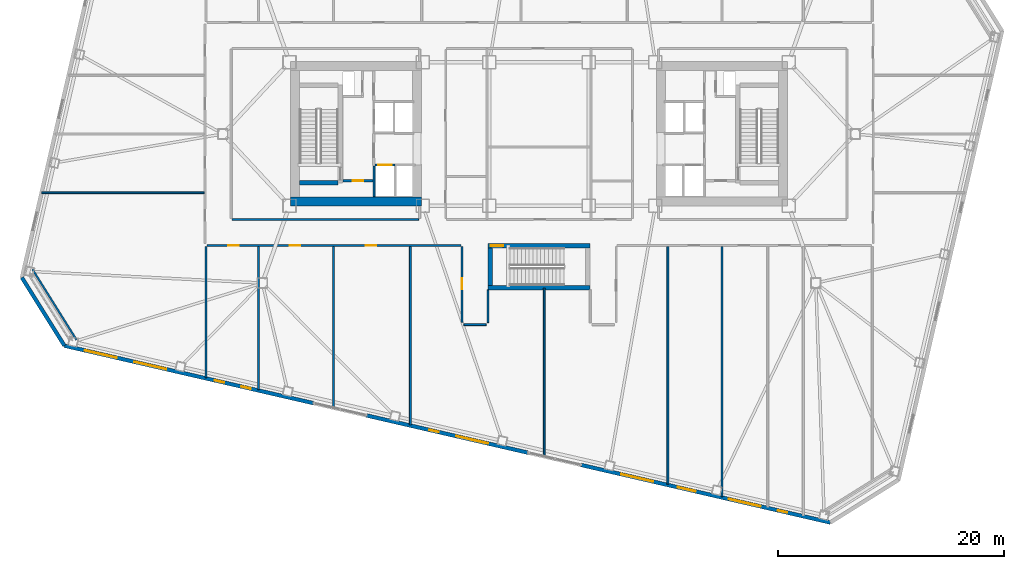
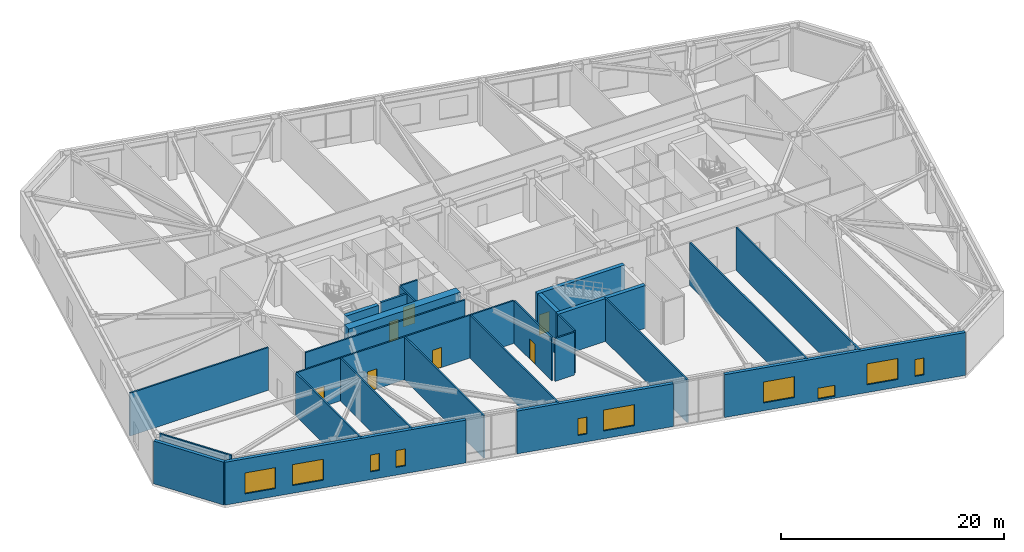
# One storey, part 9 of 20: 26 walls, 10 windows, 7 doors, 17 openings.
"""IFC4 building model written with IfcOpenShell, lengths in metres."""

from ifc_helpers import new_model, si_unit, direction, frame, frame_2d, origin, place, context, subcontext, project, spatial, rectangle, extrude, material, layer, layer_set, type_object, element, fill, save


model = new_model("IFC4")

# Units and contexts
model_context = context("Model", 3, precision=1e-05, world=origin(), true_north=direction((0.0, 1.0)))
body_context = subcontext(model_context, "Body", "Model", "MODEL_VIEW")
ifc_project = project(units=[si_unit("LENGTHUNIT", "METRE"), si_unit("AREAUNIT", "SQUARE_METRE"), si_unit("VOLUMEUNIT", "CUBIC_METRE"), si_unit("PLANEANGLEUNIT", "RADIAN"), si_unit("MASSUNIT", "GRAM", prefix="KILO")], contexts=[model_context])

# Site, building, storey
site_placement = place(None, origin())
site = spatial("IfcSite", under=ifc_project, at=site_placement, CompositionType="ELEMENT")
building_placement = place(site_placement, origin())
building = spatial("IfcBuilding", under=site, at=building_placement, Name="Tavrogorsk Clinical Tower", CompositionType="ELEMENT")
storey_placement = place(building_placement, frame((0.0, 0.0, 13.39990234375)))
storey = spatial("IfcBuildingStorey", under=building, at=storey_placement, Name="L02", CompositionType="ELEMENT", Elevation=13.39990234375)

# Wall, opening, door
ifc_material_1 = material(Name="Concrete B60", Category="concrete")
ifc_layer_1 = layer(ifc_material_1, 0.199951171875)
ifc_layer_set_1 = layer_set([ifc_layer_1], Name="Concrete B60")
wall_type_1 = type_object("IfcWallType", Name="CoreFireWall_200", PredefinedType="SOLIDWALL", material=ifc_layer_set_1)
wall_1_placement = place(storey_placement, frame((-17.3798828125, -4.139892578125, 0.0), z_axis=(0.0, 0.0, 1.0), x_axis=(1.0, 0.0, 0.0)))
wall_1 = element("IfcWall", 1, at=wall_1_placement, inside=storey, type_object=wall_type_1, Name="L02 Core West South Core Room Fire Wall", PredefinedType="SOLIDWALL", context=body_context, shape_type="SweptSolid", body=[
    extrude(rectangle(XDim=2.659912109375, YDim=0.199951171875, at=frame_2d((1.330078125, 0.0))), origin(), (0.0, 0.0, 1.0), 4.7001953125),
])
opening_1_placement = place(wall_1_placement, frame((0.8798828125, 0.0, 0.0)))
opening_1 = element("IfcOpeningElement", 2, at=opening_1_placement, cuts=wall_1, Name="Opening ID-02", PredefinedType="OPENING", context=body_context, shape_type="SweptSolid", body=[
    extrude(rectangle(XDim=0.949951171875, YDim=2.199951171875, at=frame_2d((0.47509765625, 1.10009765625))), frame((0.0, 0.10986328125, 0.0), z_axis=(0.0, -1.0, 0.0), x_axis=(1.0, 0.0, 0.0)), (0.0, 0.0, 1.0), 0.219970703125),
])
ifc_material_2 = material(Name="Laminated timber leaf on aluminium frame", Category="wood")
door_type_1 = type_object("IfcDoorType", Name="InteriorDoor_ID02_950", OperationType="NOTDEFINED", PredefinedType="DOOR", material=ifc_material_2)
door_1_placement = place(opening_1_placement, origin())
door_1 = element("IfcDoor", 3, at=door_1_placement, inside=storey, type_object=door_type_1, Name="L02 Core West South Core Room Door", OperationType="SINGLE_SWING_RIGHT", OverallHeight=2.199951171875, OverallWidth=0.949951171875, PredefinedType="DOOR", context=body_context, shape_type="SweptSolid", body=[
    extrude(rectangle(XDim=0.949951171875, YDim=2.199951171875, at=frame_2d((0.47509765625, 1.10009765625))), frame((0.0, 0.02490234375, 0.0), z_axis=(0.0, -1.0, 0.0), x_axis=(1.0, 0.0, 0.0)), (0.0, 0.0, 1.0), 0.050048828125),
])
fill(opening_1, door_1)

# Walls
ifc_material_3 = material(Name="Lightweight concrete blockwork B15", Category="masonry")
ifc_layer_2 = layer(ifc_material_3, 0.159912109375)
ifc_layer_set_2 = layer_set([ifc_layer_2], Name="Lightweight concrete blockwork B15")
wall_type_2 = type_object("IfcWallType", Name="PartitionWall_160", PredefinedType="PARTITIONING", material=ifc_layer_set_2)
wall_2_placement = place(storey_placement, frame((-44.85986328125, -11.9892578125, 0.0), z_axis=(0.0, 0.0, 1.0), x_axis=(0.52991239767, -0.848052386823, 0.0)))
element("IfcWall", 4, at=wall_2_placement, inside=storey, type_object=wall_type_2, Name="L02 Corner Exoskeleton Brace Furring Wall 4", PredefinedType="PARTITIONING", context=body_context, shape_type="SweptSolid", body=[
    extrude(rectangle(XDim=7.35400390625, YDim=0.159912109375, at=frame_2d((3.677001953125, 0.0))), origin(), (0.0, 0.0, 1.0), 4.7001953125),
])
wall_3_placement = place(storey_placement, frame((-4.52001953125, -13.800048828125, 0.0), z_axis=(0.0, 0.0, 1.0), x_axis=(0.0, -1.0, 0.0)))
element("IfcWall", 5, at=wall_3_placement, inside=storey, type_object=wall_type_2, Name="L02 Corridor Partition 08", PredefinedType="PARTITIONING", context=body_context, shape_type="SweptSolid", body=[
    extrude(rectangle(XDim=2.9150390625, YDim=0.159912109375, at=frame_2d((1.45751953125, 0.0))), origin(), (0.0, 0.0, 1.0), 4.7001953125),
])
wall_4_placement = place(storey_placement, frame((-4.68505859375, -16.8798828125, 0.0), z_axis=(0.0, 0.0, 1.0), x_axis=(-1.0, 0.0, 0.0)))
element("IfcWall", 6, at=wall_4_placement, inside=storey, type_object=wall_type_2, Name="L02 Corridor Partition 09", PredefinedType="PARTITIONING", context=body_context, shape_type="SweptSolid", body=[
    extrude(rectangle(XDim=1.97998046875, YDim=0.159912109375, at=frame_2d((0.989990234375, 0.0))), origin(), (0.0, 0.0, 1.0), 4.7001953125),
])

# Wall, opening, door
wall_5_placement = place(storey_placement, frame((-6.830078125, -16.715087890625, 0.0), z_axis=(0.0, 0.0, 1.0), x_axis=(0.0, 1.0, 0.0)))
wall_5 = element("IfcWall", 7, at=wall_5_placement, inside=storey, type_object=wall_type_2, Name="L02 Corridor Partition 10", PredefinedType="PARTITIONING", context=body_context, shape_type="SweptSolid", body=[
    extrude(rectangle(XDim=6.75, YDim=0.159912109375, at=frame_2d((3.375, 0.0))), origin(), (0.0, 0.0, 1.0), 4.7001953125),
])
opening_2_placement = place(wall_5_placement, frame((2.985107421875, 0.0, 0.0)))
opening_2 = element("IfcOpeningElement", 8, at=opening_2_placement, cuts=wall_5, Name="Opening ID-02", PredefinedType="OPENING", context=body_context, shape_type="SweptSolid", body=[
    extrude(rectangle(XDim=0.949951171875, YDim=2.199951171875, at=frame_2d((0.47509765625, 1.10009765625))), frame((0.0, 0.08984375, 0.0), z_axis=(0.0, -1.0, 0.0), x_axis=(1.0, 0.0, 0.0)), (0.0, 0.0, 1.0), 0.179931640625),
])
door_2_placement = place(opening_2_placement, origin())
door_2 = element("IfcDoor", 9, at=door_2_placement, inside=storey, type_object=door_type_1, Name="L02 South Clinical Biochemistry Laboratory 04A Door", OperationType="SINGLE_SWING_RIGHT", OverallHeight=2.199951171875, OverallWidth=0.949951171875, PredefinedType="DOOR", context=body_context, shape_type="SweptSolid", body=[
    extrude(rectangle(XDim=0.949951171875, YDim=2.199951171875, at=frame_2d((0.47509765625, 1.10009765625))), frame((0.0, 0.02490234375, 0.0), z_axis=(0.0, -1.0, 0.0), x_axis=(1.0, 0.0, 0.0)), (0.0, 0.0, 1.0), 0.050048828125),
])
fill(opening_2, door_2)

# Wall, openings, doors
wall_6_placement = place(storey_placement, frame((-6.9150390625, -9.8798828125, 0.0), z_axis=(0.0, 0.0, 1.0), x_axis=(-1.0, 0.0, 0.0)))
wall_6 = element("IfcWall", 10, at=wall_6_placement, inside=storey, type_object=wall_type_2, Name="L02 Corridor Partition 11", PredefinedType="PARTITIONING", context=body_context, shape_type="SweptSolid", body=[
    extrude(rectangle(XDim=22.5, YDim=0.159912109375, at=frame_2d((11.25, 0.0))), origin(), (0.0, 0.0, 1.0), 4.7001953125),
])
opening_3_placement = place(wall_6_placement, frame((19.67578125, 0.0, 0.0)))
opening_3 = element("IfcOpeningElement", 11, at=opening_3_placement, cuts=wall_6, Name="Opening ID-02", PredefinedType="OPENING", context=body_context, shape_type="SweptSolid", body=[
    extrude(rectangle(XDim=0.949951171875, YDim=2.199951171875, at=frame_2d((0.47509765625, 1.10009765625))), frame((0.0, 0.08984375, 0.0), z_axis=(0.0, -1.0, 0.0), x_axis=(1.0, 0.0, 0.0)), (0.0, 0.0, 1.0), 0.179931640625),
])
opening_4_placement = place(wall_6_placement, frame((14.219970703125, 0.0, 0.0)))
opening_4 = element("IfcOpeningElement", 12, at=opening_4_placement, cuts=wall_6, Name="Opening ID-02", PredefinedType="OPENING", context=body_context, shape_type="SweptSolid", body=[
    extrude(rectangle(XDim=0.949951171875, YDim=2.199951171875, at=frame_2d((0.47509765625, 1.10009765625))), frame((0.0, 0.08984375, 0.0), z_axis=(0.0, -1.0, 0.0), x_axis=(1.0, 0.0, 0.0)), (0.0, 0.0, 1.0), 0.179931640625),
])
opening_5_placement = place(wall_6_placement, frame((7.4951171875, 0.0, 0.0)))
opening_5 = element("IfcOpeningElement", 13, at=opening_5_placement, cuts=wall_6, Name="Opening ID-02", PredefinedType="OPENING", context=body_context, shape_type="SweptSolid", body=[
    extrude(rectangle(XDim=0.949951171875, YDim=2.199951171875, at=frame_2d((0.47509765625, 1.10009765625))), frame((0.0, 0.08984375, 0.0), z_axis=(0.0, -1.0, 0.0), x_axis=(1.0, 0.0, 0.0)), (0.0, 0.0, 1.0), 0.179931640625),
])
door_3_placement = place(opening_3_placement, origin())
door_3 = element("IfcDoor", 14, at=door_3_placement, inside=storey, type_object=door_type_1, Name="L02 South Clinical Biochemistry Laboratory 01 Door", OperationType="SINGLE_SWING_LEFT", OverallHeight=2.199951171875, OverallWidth=0.949951171875, PredefinedType="DOOR", context=body_context, shape_type="SweptSolid", body=[
    extrude(rectangle(XDim=0.949951171875, YDim=2.199951171875, at=frame_2d((0.47509765625, 1.10009765625))), frame((0.0, 0.02490234375, 0.0), z_axis=(0.0, -1.0, 0.0), x_axis=(1.0, 0.0, 0.0)), (0.0, 0.0, 1.0), 0.050048828125),
])
fill(opening_3, door_3)
door_4_placement = place(opening_4_placement, origin())
door_4 = element("IfcDoor", 15, at=door_4_placement, inside=storey, type_object=door_type_1, Name="L02 South Pathologist Consultation Office 02 Door", OperationType="SINGLE_SWING_RIGHT", OverallHeight=2.199951171875, OverallWidth=0.949951171875, PredefinedType="DOOR", context=body_context, shape_type="SweptSolid", body=[
    extrude(rectangle(XDim=0.949951171875, YDim=2.199951171875, at=frame_2d((0.47509765625, 1.10009765625))), frame((0.0, 0.02490234375, 0.0), z_axis=(0.0, -1.0, 0.0), x_axis=(1.0, 0.0, 0.0)), (0.0, 0.0, 1.0), 0.050048828125),
])
fill(opening_4, door_4)
door_5_placement = place(opening_5_placement, origin())
door_5 = element("IfcDoor", 16, at=door_5_placement, inside=storey, type_object=door_type_1, Name="L02 South Laboratory Seminar Room 03 Door", OperationType="SINGLE_SWING_LEFT", OverallHeight=2.199951171875, OverallWidth=0.949951171875, PredefinedType="DOOR", context=body_context, shape_type="SweptSolid", body=[
    extrude(rectangle(XDim=0.949951171875, YDim=2.199951171875, at=frame_2d((0.47509765625, 1.10009765625))), frame((0.0, 0.02490234375, 0.0), z_axis=(0.0, -1.0, 0.0), x_axis=(1.0, 0.0, 0.0)), (0.0, 0.0, 1.0), 0.050048828125),
])
fill(opening_5, door_5)

# Walls
wall_7_placement = place(storey_placement, frame((-27.18505859375, -7.570068359375, 0.0), z_axis=(0.0, 0.0, 1.0), x_axis=(1.0, 0.0, 0.0)))
element("IfcWall", 17, at=wall_7_placement, inside=storey, type_object=wall_type_2, Name="L02 Corridor Partition 25", PredefinedType="PARTITIONING", context=body_context, shape_type="SweptSolid", body=[
    extrude(rectangle(XDim=16.52001953125, YDim=0.159912109375, at=frame_2d((8.260009765625, 0.0))), origin(), (0.0, 0.0, 1.0), 4.7001953125),
])
wall_8_placement = place(storey_placement, frame((-29.5, -21.570556640625, 0.0), z_axis=(0.0, 0.0, 1.0), x_axis=(0.0, 1.0, 0.0)))
element("IfcWall", 18, at=wall_8_placement, inside=storey, type_object=wall_type_2, Name="L02 SW Wing Closure Partition", PredefinedType="PARTITIONING", context=body_context, shape_type="SweptSolid", body=[
    extrude(rectangle(XDim=11.60546875, YDim=0.159912109375, at=frame_2d((5.802734375, 0.0))), origin(), (0.0, 0.0, 1.0), 4.7001953125),
])
wall_9_placement = place(storey_placement, frame((-24.85009765625, -22.64404296875, 0.0), z_axis=(0.0, 0.0, 1.0), x_axis=(0.0, 1.0, 0.0)))
element("IfcWall", 19, at=wall_9_placement, inside=storey, type_object=wall_type_2, Name="L02 South Room Partition 1", PredefinedType="PARTITIONING", context=body_context, shape_type="SweptSolid", body=[
    extrude(rectangle(XDim=12.678955078125, YDim=0.159912109375, at=frame_2d((6.33935546875, 0.0))), origin(), (0.0, 0.0, 1.0), 4.7001953125),
])
wall_10_placement = place(storey_placement, frame((-18.199951171875, -24.179443359375, 0.0), z_axis=(0.0, 0.0, 1.0), x_axis=(0.0, 1.0, 0.0)))
element("IfcWall", 20, at=wall_10_placement, inside=storey, type_object=wall_type_2, Name="L02 South Room Partition 2", PredefinedType="PARTITIONING", context=body_context, shape_type="SweptSolid", body=[
    extrude(rectangle(XDim=14.21435546875, YDim=0.159912109375, at=frame_2d((7.107177734375, 0.0))), origin(), (0.0, 0.0, 1.0), 4.7001953125),
])
wall_11_placement = place(storey_placement, frame((-11.39990234375, -25.749267578125, 0.0), z_axis=(0.0, 0.0, 1.0), x_axis=(0.0, 1.0, 0.0)))
element("IfcWall", 21, at=wall_11_placement, inside=storey, type_object=wall_type_2, Name="L02 South Room Partition 3", PredefinedType="PARTITIONING", context=body_context, shape_type="SweptSolid", body=[
    extrude(rectangle(XDim=15.7841796875, YDim=0.159912109375, at=frame_2d((7.89208984375, 0.0))), origin(), (0.0, 0.0, 1.0), 4.7001953125),
])
wall_12_placement = place(storey_placement, frame((11.39990234375, -31.01318359375, 0.0), z_axis=(0.0, 0.0, 1.0), x_axis=(0.0, 1.0, 0.0)))
element("IfcWall", 22, at=wall_12_placement, inside=storey, type_object=wall_type_2, Name="L02 South Room Partition 4", PredefinedType="PARTITIONING", context=body_context, shape_type="SweptSolid", body=[
    extrude(rectangle(XDim=21.048095703125, YDim=0.159912109375, at=frame_2d((10.52392578125, 0.0))), origin(), (0.0, 0.0, 1.0), 4.7001953125),
])
wall_13_placement = place(storey_placement, frame((16.199951171875, -32.12109375, 0.0), z_axis=(0.0, 0.0, 1.0), x_axis=(0.0, 1.0, 0.0)))
element("IfcWall", 23, at=wall_13_placement, inside=storey, type_object=wall_type_2, Name="L02 South Room Partition 5", PredefinedType="PARTITIONING", context=body_context, shape_type="SweptSolid", body=[
    extrude(rectangle(XDim=22.156005859375, YDim=0.159912109375, at=frame_2d((11.078125, 0.0))), origin(), (0.0, 0.0, 1.0), 4.7001953125),
])
wall_14_placement = place(storey_placement, frame((0.449951171875, -28.485107421875, 0.0), z_axis=(0.0, 0.0, 1.0), x_axis=(0.0, 1.0, 0.0)))
element("IfcWall", 24, at=wall_14_placement, inside=storey, type_object=wall_type_2, Name="L02 South Sub-Partition 4", PredefinedType="PARTITIONING", context=body_context, shape_type="SweptSolid", body=[
    extrude(rectangle(XDim=14.84521484375, YDim=0.159912109375, at=frame_2d((7.422607421875, 0.0))), origin(), (0.0, 0.0, 1.0), 4.7001953125),
])
wall_15_placement = place(storey_placement, frame((-44.0419921875, -5.199951171875, 0.0), z_axis=(0.0, 0.0, 1.0), x_axis=(1.0, 0.0, 0.0)))
element("IfcWall", 25, at=wall_15_placement, inside=storey, type_object=wall_type_2, Name="L02 W Wing Divider 1", PredefinedType="PARTITIONING", context=body_context, shape_type="SweptSolid", body=[
    extrude(rectangle(XDim=14.376953125, YDim=0.159912109375, at=frame_2d((7.1884765625, 0.0))), origin(), (0.0, 0.0, 1.0), 4.7001953125),
])

# Wall, openings, windows
ifc_material_4 = material(Name="Precast concrete B45 with limestone cladding", Category="masonry")
ifc_layer_3 = layer(ifc_material_4, 0.340087890625)
ifc_layer_set_3 = layer_set([ifc_layer_3], Name="Precast concrete B45 with limestone cladding")
wall_type_3 = type_object("IfcWallType", Name="PrecastLimestoneWall_340", PredefinedType="STANDARD", material=ifc_layer_set_3)
wall_16_placement = place(storey_placement, frame((-42.028564453125, -18.75, 0.0), z_axis=(0.0, 0.0, 1.0), x_axis=(0.97436993772, -0.224951604723, 0.0)))
wall_16 = element("IfcWall", 26, at=wall_16_placement, inside=storey, type_object=wall_type_3, Name="L02 S Limestone Facade Wall 1", PredefinedType="STANDARD", context=body_context, shape_type="SweptSolid", body=[
    extrude(rectangle(XDim=22.6513671875, YDim=0.340087890625, at=frame_2d((11.32568359375, 0.0))), origin(), (0.0, 0.0, 1.0), 4.7001953125),
])
opening_6_placement = place(wall_16_placement, frame((1.862060546875, 0.0, 0.85009765625)))
opening_6 = element("IfcOpeningElement", 27, at=opening_6_placement, cuts=wall_16, Name="Opening WN-10", PredefinedType="OPENING", context=body_context, shape_type="SweptSolid", body=[
    extrude(rectangle(XDim=2.89990234375, YDim=2.300048828125, at=frame_2d((1.449951171875, 1.14990234375))), frame((0.0, 0.179931640625, 0.0), z_axis=(0.0, -1.0, 0.0), x_axis=(1.0, 0.0, 0.0)), (0.0, 0.0, 1.0), 0.360107421875),
])
opening_7_placement = place(wall_16_placement, frame((6.346435546875, 0.0, 0.85009765625)))
opening_7 = element("IfcOpeningElement", 28, at=opening_7_placement, cuts=wall_16, Name="Opening WN-10", PredefinedType="OPENING", context=body_context, shape_type="SweptSolid", body=[
    extrude(rectangle(XDim=2.89990234375, YDim=2.300048828125, at=frame_2d((1.449951171875, 1.14990234375))), frame((0.0, 0.179931640625, 0.0), z_axis=(0.0, -1.0, 0.0), x_axis=(1.0, 0.0, 0.0)), (0.0, 0.0, 1.0), 0.360107421875),
])
opening_8_placement = place(wall_16_placement, frame((13.66064453125, 0.0, 0.85009765625)))
opening_8 = element("IfcOpeningElement", 29, at=opening_8_placement, cuts=wall_16, Name="Opening WN-06", PredefinedType="OPENING", context=body_context, shape_type="SweptSolid", body=[
    extrude(rectangle(XDim=0.85009765625, YDim=1.85009765625, at=frame_2d((0.425048828125, 0.925048828125))), frame((0.0, 0.179931640625, 0.0), z_axis=(0.0, -1.0, 0.0), x_axis=(1.0, 0.0, 0.0)), (0.0, 0.0, 1.0), 0.360107421875),
])
opening_9_placement = place(wall_16_placement, frame((16.094970703125, 0.0, 0.85009765625)))
opening_9 = element("IfcOpeningElement", 30, at=opening_9_placement, cuts=wall_16, Name="Opening WN-06", PredefinedType="OPENING", context=body_context, shape_type="SweptSolid", body=[
    extrude(rectangle(XDim=0.85009765625, YDim=1.85009765625, at=frame_2d((0.425048828125, 0.925048828125))), frame((0.0, 0.179931640625, 0.0), z_axis=(0.0, -1.0, 0.0), x_axis=(1.0, 0.0, 0.0)), (0.0, 0.0, 1.0), 0.360107421875),
])
ifc_material_5 = material(Name="Thermally broken aluminium frame and triple IGU", Category="aluminium")
window_type_1 = type_object("IfcWindowType", Name="DiagnosticWin_2900x2300", PartitioningType="TRIPLE_PANEL_HORIZONTAL", PredefinedType="WINDOW", material=ifc_material_5)
window_1_placement = place(opening_6_placement, origin())
window_1 = element("IfcWindow", 31, at=window_1_placement, inside=storey, type_object=window_type_1, Name="L02 S Chicago Window 01", OverallHeight=2.300048828125, OverallWidth=2.89990234375, PartitioningType="SINGLE_PANEL", PredefinedType="WINDOW", context=body_context, shape_type="SweptSolid", body=[
    extrude(rectangle(XDim=2.89990234375, YDim=2.300048828125, at=frame_2d((1.449951171875, 1.14990234375))), frame((0.0, 0.030029296875, 0.0), z_axis=(0.0, -1.0, 0.0), x_axis=(1.0, 0.0, 0.0)), (0.0, 0.0, 1.0), 0.06005859375),
])
fill(opening_6, window_1)
window_2_placement = place(opening_7_placement, origin())
window_2 = element("IfcWindow", 32, at=window_2_placement, inside=storey, type_object=window_type_1, Name="L02 S Chicago Window 02", OverallHeight=2.300048828125, OverallWidth=2.89990234375, PartitioningType="SINGLE_PANEL", PredefinedType="WINDOW", context=body_context, shape_type="SweptSolid", body=[
    extrude(rectangle(XDim=2.89990234375, YDim=2.300048828125, at=frame_2d((1.449951171875, 1.14990234375))), frame((0.0, 0.030029296875, 0.0), z_axis=(0.0, -1.0, 0.0), x_axis=(1.0, 0.0, 0.0)), (0.0, 0.0, 1.0), 0.06005859375),
])
fill(opening_7, window_2)
ifc_material_6 = material(Name="Thermally broken aluminium frame and triple IGU", Category="aluminium")
window_type_2 = type_object("IfcWindowType", Name="MullionSubWin_850x1850", PartitioningType="SINGLE_PANEL", PredefinedType="WINDOW", material=ifc_material_6)
window_3_placement = place(opening_8_placement, origin())
window_3 = element("IfcWindow", 33, at=window_3_placement, inside=storey, type_object=window_type_2, Name="L02 S Mullion Split Window 03B", OverallHeight=1.85009765625, OverallWidth=0.85009765625, PartitioningType="SINGLE_PANEL", PredefinedType="WINDOW", context=body_context, shape_type="SweptSolid", body=[
    extrude(rectangle(XDim=0.85009765625, YDim=1.85009765625, at=frame_2d((0.425048828125, 0.925048828125))), frame((0.0, 0.030029296875, 0.0), z_axis=(0.0, -1.0, 0.0), x_axis=(1.0, 0.0, 0.0)), (0.0, 0.0, 1.0), 0.06005859375),
])
fill(opening_8, window_3)
window_4_placement = place(opening_9_placement, origin())
window_4 = element("IfcWindow", 34, at=window_4_placement, inside=storey, type_object=window_type_2, Name="L02 S Mullion Split Window 04A", OverallHeight=1.85009765625, OverallWidth=0.85009765625, PartitioningType="SINGLE_PANEL", PredefinedType="WINDOW", context=body_context, shape_type="SweptSolid", body=[
    extrude(rectangle(XDim=0.85009765625, YDim=1.85009765625, at=frame_2d((0.425048828125, 0.925048828125))), frame((0.0, 0.030029296875, 0.0), z_axis=(0.0, -1.0, 0.0), x_axis=(1.0, 0.0, 0.0)), (0.0, 0.0, 1.0), 0.06005859375),
])
fill(opening_9, window_4)

wall_17_placement = place(storey_placement, frame((-15.28076171875, -24.925048828125, 0.0), z_axis=(0.0, 0.0, 1.0), x_axis=(0.974370193991, -0.22495049469, 0.0)))
wall_17 = element("IfcWall", 35, at=wall_17_placement, inside=storey, type_object=wall_type_3, Name="L02 S Limestone Facade Wall 2", PredefinedType="STANDARD", context=body_context, shape_type="SweptSolid", body=[
    extrude(rectangle(XDim=14.697265625, YDim=0.340087890625, at=frame_2d((7.3486328125, 0.0))), origin(), (0.0, 0.0, 1.0), 4.7001953125),
])
opening_10_placement = place(wall_17_placement, frame((5.706298828125, 0.0, 0.85009765625)))
opening_10 = element("IfcOpeningElement", 36, at=opening_10_placement, cuts=wall_17, Name="Opening WN-06", PredefinedType="OPENING", context=body_context, shape_type="SweptSolid", body=[
    extrude(rectangle(XDim=0.85009765625, YDim=1.85009765625, at=frame_2d((0.425048828125, 0.925048828125))), frame((0.0, 0.179931640625, 0.0), z_axis=(0.0, -1.0, 0.0), x_axis=(1.0, 0.0, 0.0)), (0.0, 0.0, 1.0), 0.360107421875),
])
opening_11_placement = place(wall_17_placement, frame((8.140869140625, 0.0, 0.85009765625)))
opening_11 = element("IfcOpeningElement", 37, at=opening_11_placement, cuts=wall_17, Name="Opening WN-10", PredefinedType="OPENING", context=body_context, shape_type="SweptSolid", body=[
    extrude(rectangle(XDim=2.89990234375, YDim=2.300048828125, at=frame_2d((1.449951171875, 1.14990234375))), frame((0.0, 0.179931640625, 0.0), z_axis=(0.0, -1.0, 0.0), x_axis=(1.0, 0.0, 0.0)), (0.0, 0.0, 1.0), 0.360107421875),
])
window_5_placement = place(opening_11_placement, origin())
window_5 = element("IfcWindow", 38, at=window_5_placement, inside=storey, type_object=window_type_1, Name="L02 S Chicago Window 06", OverallHeight=2.300048828125, OverallWidth=2.89990234375, PartitioningType="SINGLE_PANEL", PredefinedType="WINDOW", context=body_context, shape_type="SweptSolid", body=[
    extrude(rectangle(XDim=2.89990234375, YDim=2.300048828125, at=frame_2d((1.449951171875, 1.14990234375))), frame((0.0, 0.030029296875, 0.0), z_axis=(0.0, -1.0, 0.0), x_axis=(1.0, 0.0, 0.0)), (0.0, 0.0, 1.0), 0.06005859375),
])
fill(opening_11, window_5)
window_6_placement = place(opening_10_placement, origin())
window_6 = element("IfcWindow", 39, at=window_6_placement, inside=storey, type_object=window_type_2, Name="L02 S Mullion Split Window 05B", OverallHeight=1.85009765625, OverallWidth=0.85009765625, PartitioningType="SINGLE_PANEL", PredefinedType="WINDOW", context=body_context, shape_type="SweptSolid", body=[
    extrude(rectangle(XDim=0.85009765625, YDim=1.85009765625, at=frame_2d((0.425048828125, 0.925048828125))), frame((0.0, 0.030029296875, 0.0), z_axis=(0.0, -1.0, 0.0), x_axis=(1.0, 0.0, 0.0)), (0.0, 0.0, 1.0), 0.06005859375),
])
fill(opening_10, window_6)

wall_18_placement = place(storey_placement, frame((3.716796875, -29.31103515625, 0.0), z_axis=(0.0, 0.0, 1.0), x_axis=(0.97436993772, -0.224951604723, 0.0)))
wall_18 = element("IfcWall", 40, at=wall_18_placement, inside=storey, type_object=wall_type_3, Name="L02 S Limestone Facade Wall 3", PredefinedType="STANDARD", context=body_context, shape_type="SweptSolid", body=[
    extrude(rectangle(XDim=22.6513671875, YDim=0.340087890625, at=frame_2d((11.32568359375, 0.0))), origin(), (0.0, 0.0, 1.0), 4.7001953125),
])
opening_12_placement = place(wall_18_placement, frame((3.656494140625, 0.0, 0.85009765625)))
opening_12 = element("IfcOpeningElement", 41, at=opening_12_placement, cuts=wall_18, Name="Opening WN-10", PredefinedType="OPENING", context=body_context, shape_type="SweptSolid", body=[
    extrude(rectangle(XDim=2.89990234375, YDim=2.300048828125, at=frame_2d((1.449951171875, 1.14990234375))), frame((0.0, 0.179931640625, 0.0), z_axis=(0.0, -1.0, 0.0), x_axis=(1.0, 0.0, 0.0)), (0.0, 0.0, 1.0), 0.360107421875),
])
opening_13_placement = place(wall_18_placement, frame((8.790771484375, 0.0, 0.219970703125)))
opening_13 = element("IfcOpeningElement", 42, at=opening_13_placement, cuts=wall_18, Name="Opening WN-09", PredefinedType="OPENING", context=body_context, shape_type="SweptSolid", body=[
    extrude(rectangle(XDim=1.60009765625, YDim=1.199951171875, at=frame_2d((0.800048828125, 0.60009765625))), frame((0.0, 0.179931640625, 0.0), z_axis=(0.0, -1.0, 0.0), x_axis=(1.0, 0.0, 0.0)), (0.0, 0.0, 1.0), 0.360107421875),
])
opening_14_placement = place(wall_18_placement, frame((13.40478515625, 0.0, 0.85009765625)))
opening_14 = element("IfcOpeningElement", 43, at=opening_14_placement, cuts=wall_18, Name="Opening WN-10", PredefinedType="OPENING", context=body_context, shape_type="SweptSolid", body=[
    extrude(rectangle(XDim=2.89990234375, YDim=2.300048828125, at=frame_2d((1.449951171875, 1.14990234375))), frame((0.0, 0.179931640625, 0.0), z_axis=(0.0, -1.0, 0.0), x_axis=(1.0, 0.0, 0.0)), (0.0, 0.0, 1.0), 0.360107421875),
])
opening_15_placement = place(wall_18_placement, frame((17.889404296875, 0.0, 0.85009765625)))
opening_15 = element("IfcOpeningElement", 44, at=opening_15_placement, cuts=wall_18, Name="Opening WN-06", PredefinedType="OPENING", context=body_context, shape_type="SweptSolid", body=[
    extrude(rectangle(XDim=0.85009765625, YDim=1.85009765625, at=frame_2d((0.425048828125, 0.925048828125))), frame((0.0, 0.179931640625, 0.0), z_axis=(0.0, -1.0, 0.0), x_axis=(1.0, 0.0, 0.0)), (0.0, 0.0, 1.0), 0.360107421875),
])
window_7_placement = place(opening_12_placement, origin())
window_7 = element("IfcWindow", 45, at=window_7_placement, inside=storey, type_object=window_type_1, Name="L02 S Chicago Window 07", OverallHeight=2.300048828125, OverallWidth=2.89990234375, PartitioningType="SINGLE_PANEL", PredefinedType="WINDOW", context=body_context, shape_type="SweptSolid", body=[
    extrude(rectangle(XDim=2.89990234375, YDim=2.300048828125, at=frame_2d((1.449951171875, 1.14990234375))), frame((0.0, 0.030029296875, 0.0), z_axis=(0.0, -1.0, 0.0), x_axis=(1.0, 0.0, 0.0)), (0.0, 0.0, 1.0), 0.06005859375),
])
fill(opening_12, window_7)
window_8_placement = place(opening_14_placement, origin())
window_8 = element("IfcWindow", 46, at=window_8_placement, inside=storey, type_object=window_type_1, Name="L02 S Chicago Window 09", OverallHeight=2.300048828125, OverallWidth=2.89990234375, PartitioningType="SINGLE_PANEL", PredefinedType="WINDOW", context=body_context, shape_type="SweptSolid", body=[
    extrude(rectangle(XDim=2.89990234375, YDim=2.300048828125, at=frame_2d((1.449951171875, 1.14990234375))), frame((0.0, 0.030029296875, 0.0), z_axis=(0.0, -1.0, 0.0), x_axis=(1.0, 0.0, 0.0)), (0.0, 0.0, 1.0), 0.06005859375),
])
fill(opening_14, window_8)
ifc_material_7 = material(Name="Thermally broken aluminium frame and triple IGU", Category="aluminium")
window_type_3 = type_object("IfcWindowType", Name="LowHeadTransWin_1600x1200", PartitioningType="DOUBLE_PANEL_VERTICAL", PredefinedType="WINDOW", material=ifc_material_7)
window_9_placement = place(opening_13_placement, origin())
window_9 = element("IfcWindow", 47, at=window_9_placement, inside=storey, type_object=window_type_3, Name="L02 S Chicago Window 08", OverallHeight=1.199951171875, OverallWidth=1.60009765625, PartitioningType="SINGLE_PANEL", PredefinedType="WINDOW", context=body_context, shape_type="SweptSolid", body=[
    extrude(rectangle(XDim=1.60009765625, YDim=1.199951171875, at=frame_2d((0.800048828125, 0.60009765625))), frame((0.0, 0.030029296875, 0.0), z_axis=(0.0, -1.0, 0.0), x_axis=(1.0, 0.0, 0.0)), (0.0, 0.0, 1.0), 0.06005859375),
])
fill(opening_13, window_9)
window_10_placement = place(opening_15_placement, origin())
window_10 = element("IfcWindow", 48, at=window_10_placement, inside=storey, type_object=window_type_2, Name="L02 S Mullion Split Window 10A", OverallHeight=1.85009765625, OverallWidth=0.85009765625, PartitioningType="SINGLE_PANEL", PredefinedType="WINDOW", context=body_context, shape_type="SweptSolid", body=[
    extrude(rectangle(XDim=0.85009765625, YDim=1.85009765625, at=frame_2d((0.425048828125, 0.925048828125))), frame((0.0, 0.030029296875, 0.0), z_axis=(0.0, -1.0, 0.0), x_axis=(1.0, 0.0, 0.0)), (0.0, 0.0, 1.0), 0.06005859375),
])
fill(opening_15, window_10)

# Wall
wall_19_placement = place(storey_placement, frame((-45.798095703125, -12.71728515625, 0.0), z_axis=(0.0, 0.0, 1.0), x_axis=(0.529906387556, -0.848056142261, 0.0)))
element("IfcWall", 49, at=wall_19_placement, inside=storey, type_object=wall_type_3, Name="L02 Chamfered Corner Wall 4", PredefinedType="STANDARD", context=body_context, shape_type="SweptSolid", body=[
    extrude(rectangle(XDim=7.113525390625, YDim=0.340087890625, at=frame_2d((3.556640625, 0.0))), origin(), (0.0, 0.0, 1.0), 4.7001953125),
])

# Wall, opening, door
ifc_material_8 = material(Name="Lightweight concrete blockwork B25", Category="masonry")
ifc_layer_4 = layer(ifc_material_8, 0.159912109375)
ifc_layer_set_4 = layer_set([ifc_layer_4], Name="Lightweight concrete blockwork B25")
wall_type_4 = type_object("IfcWallType", Name="ShaftWall_160", PredefinedType="PARTITIONING", material=ifc_layer_set_4)
wall_20_placement = place(storey_placement, frame((-14.530029296875, -2.75, 0.0), z_axis=(0.0, 0.0, 1.0), x_axis=(1.0, 0.0, 0.0)))
wall_20 = element("IfcWall", 50, at=wall_20_placement, inside=storey, type_object=wall_type_4, Name="L02 LP-L1 Lift Shaft Portal Wall", PredefinedType="PARTITIONING", context=body_context, shape_type="SweptSolid", body=[
    extrude(rectangle(XDim=1.760009765625, YDim=0.159912109375, at=frame_2d((0.8798828125, 0.0))), origin(), (0.0, 0.0, 1.0), 4.7001953125),
])
opening_16_placement = place(wall_20_placement, frame((0.280029296875, 0.0, 0.0)))
opening_16 = element("IfcOpeningElement", 51, at=opening_16_placement, cuts=wall_20, Name="Opening LD", PredefinedType="OPENING", context=body_context, shape_type="SweptSolid", body=[
    extrude(rectangle(XDim=1.199951171875, YDim=2.199951171875, at=frame_2d((0.60009765625, 1.10009765625))), frame((0.0, 0.08984375, 0.0), z_axis=(0.0, -1.0, 0.0), x_axis=(1.0, 0.0, 0.0)), (0.0, 0.0, 1.0), 0.179931640625),
])
ifc_material_9 = material(Name="Brushed stainless steel AISI 304 sliding doors", Category="steel")
door_type_2 = type_object("IfcDoorType", Name="LiftLandingDoor_LD_1200", OperationType="SLIDING_TO_LEFT", PredefinedType="DOOR", material=ifc_material_9)
door_6_placement = place(opening_16_placement, origin())
door_6 = element("IfcDoor", 52, at=door_6_placement, inside=storey, type_object=door_type_2, Name="L02 LP-L1 Sliding Lift Landing Door", OperationType="SLIDING_TO_LEFT", OverallHeight=2.199951171875, OverallWidth=1.199951171875, PredefinedType="DOOR", context=body_context, shape_type="SweptSolid", body=[
    extrude(rectangle(XDim=1.199951171875, YDim=2.199951171875, at=frame_2d((0.60009765625, 1.10009765625))), frame((0.0, 0.02490234375, 0.0), z_axis=(0.0, -1.0, 0.0), x_axis=(1.0, 0.0, 0.0)), (0.0, 0.0, 1.0), 0.050048828125),
])
fill(opening_16, door_6)

# Walls
wall_21_placement = place(storey_placement, frame((-14.610107421875, -5.5400390625, 0.0), z_axis=(0.0, 0.0, 1.0), x_axis=(0.0, 1.0, 0.0)))
element("IfcWall", 53, at=wall_21_placement, inside=storey, type_object=wall_type_4, Name="L02 LP-L1 Lift Hoistway Outer Cheek Wall", PredefinedType="PARTITIONING", context=body_context, shape_type="SweptSolid", body=[
    extrude(rectangle(XDim=2.699951171875, YDim=0.159912109375, at=frame_2d((1.35009765625, 0.0))), origin(), (0.0, 0.0, 1.0), 4.7001953125),
])
ifc_material_10 = material(Name="Concrete B80", Category="concrete")
ifc_layer_5 = layer(ifc_material_10, 0.39990234375)
ifc_layer_set_5 = layer_set([ifc_layer_5], Name="Concrete B80")
wall_type_5 = type_object("IfcWallType", Name="ShearWall_400", PredefinedType="SHEAR", material=ifc_layer_set_5)
wall_22_placement = place(storey_placement, frame((-21.199951171875, -4.324951171875, 0.0), z_axis=(0.0, 0.0, 1.0), x_axis=(1.0, 0.0, 0.0)))
element("IfcWall", 54, at=wall_22_placement, inside=storey, type_object=wall_type_5, Name="L02 Core West Stair Shaft South Shear Wall", PredefinedType="SHEAR", context=body_context, shape_type="SweptSolid", body=[
    extrude(rectangle(XDim=3.39990234375, YDim=0.39990234375, at=frame_2d((1.699951171875, 0.0))), origin(), (0.0, 0.0, 1.0), 4.7001953125),
])
wall_23_placement = place(storey_placement, frame((-4.52490234375, -13.60009765625, 0.0), z_axis=(0.0, 0.0, 1.0), x_axis=(1.0, 0.0, 0.0)))
element("IfcWall", 55, at=wall_23_placement, inside=storey, type_object=wall_type_5, Name="L02 Podium Stair South Shaft Wall", PredefinedType="SHEAR", context=body_context, shape_type="SweptSolid", body=[
    extrude(rectangle(XDim=9.0498046875, YDim=0.39990234375, at=frame_2d((4.52490234375, 0.0))), origin(), (0.0, 0.0, 1.0), 4.7001953125),
])

# Wall, opening, door
wall_24_placement = place(storey_placement, frame((-4.52490234375, -9.89990234375, 0.0), z_axis=(0.0, 0.0, 1.0), x_axis=(1.0, 0.0, 0.0)))
wall_24 = element("IfcWall", 56, at=wall_24_placement, inside=storey, type_object=wall_type_5, Name="L02 Podium Stair North Shaft Wall", PredefinedType="SHEAR", context=body_context, shape_type="SweptSolid", body=[
    extrude(rectangle(XDim=9.0498046875, YDim=0.39990234375, at=frame_2d((4.52490234375, 0.0))), origin(), (0.0, 0.0, 1.0), 4.7001953125),
])
opening_17_placement = place(wall_24_placement, frame((0.25, 0.0, 0.0)))
opening_17 = element("IfcOpeningElement", 57, at=opening_17_placement, cuts=wall_24, Name="Opening SD-01", PredefinedType="OPENING", context=body_context, shape_type="SweptSolid", body=[
    extrude(rectangle(XDim=1.10009765625, YDim=2.199951171875, at=frame_2d((0.550048828125, 1.10009765625))), frame((0.0, 0.2099609375, 0.0), z_axis=(0.0, -1.0, 0.0), x_axis=(1.0, 0.0, 0.0)), (0.0, 0.0, 1.0), 0.419921875),
])
ifc_material_11 = material(Name="Galvanised steel smoke-tight fire door assembly", Category="steel")
door_type_3 = type_object("IfcDoorType", Name="StairFireDoor_SD01_1100", OperationType="NOTDEFINED", PredefinedType="DOOR", material=ifc_material_11)
door_7_placement = place(opening_17_placement, origin())
door_7 = element("IfcDoor", 58, at=door_7_placement, inside=storey, type_object=door_type_3, Name="L02 ST-P Podium Stair Door", OperationType="SINGLE_SWING_LEFT", OverallHeight=2.199951171875, OverallWidth=1.10009765625, PredefinedType="DOOR", context=body_context, shape_type="SweptSolid", body=[
    extrude(rectangle(XDim=1.10009765625, YDim=2.199951171875, at=frame_2d((0.550048828125, 1.10009765625))), frame((0.0, 0.02490234375, 0.0), z_axis=(0.0, -1.0, 0.0), x_axis=(1.0, 0.0, 0.0)), (0.0, 0.0, 1.0), 0.050048828125),
])
fill(opening_17, door_7)

# Walls
wall_25_placement = place(storey_placement, frame((-4.324951171875, -13.39990234375, 0.0), z_axis=(0.0, 0.0, 1.0), x_axis=(0.0, 1.0, 0.0)))
element("IfcWall", 59, at=wall_25_placement, inside=storey, type_object=wall_type_5, Name="L02 Podium Stair West Shaft Wall", PredefinedType="SHEAR", context=body_context, shape_type="SweptSolid", body=[
    extrude(rectangle(XDim=3.2998046875, YDim=0.39990234375, at=frame_2d((1.64990234375, 0.0))), origin(), (0.0, 0.0, 1.0), 4.7001953125),
])
ifc_material_12 = material(Name="Concrete B80", Category="concrete")
ifc_layer_6 = layer(ifc_material_12, 0.800048828125)
ifc_layer_set_6 = layer_set([ifc_layer_6], Name="Concrete B80")
wall_type_6 = type_object("IfcWallType", Name="ShearWall_800", PredefinedType="SHEAR", material=ifc_layer_set_6)
wall_26_placement = place(storey_placement, frame((-22.0, -6.0, 0.0), z_axis=(0.0, 0.0, 1.0), x_axis=(1.0, 0.0, 0.0)))
element("IfcWall", 60, at=wall_26_placement, inside=storey, type_object=wall_type_6, Name="L02 Core West South Shear Wall", PredefinedType="SHEAR", context=body_context, shape_type="SweptSolid", body=[
    extrude(rectangle(XDim=11.60009765625, YDim=0.800048828125, at=frame_2d((5.800048828125, 0.0))), origin(), (0.0, 0.0, 1.0), 4.7001953125),
])

save(model, "model.ifc")
